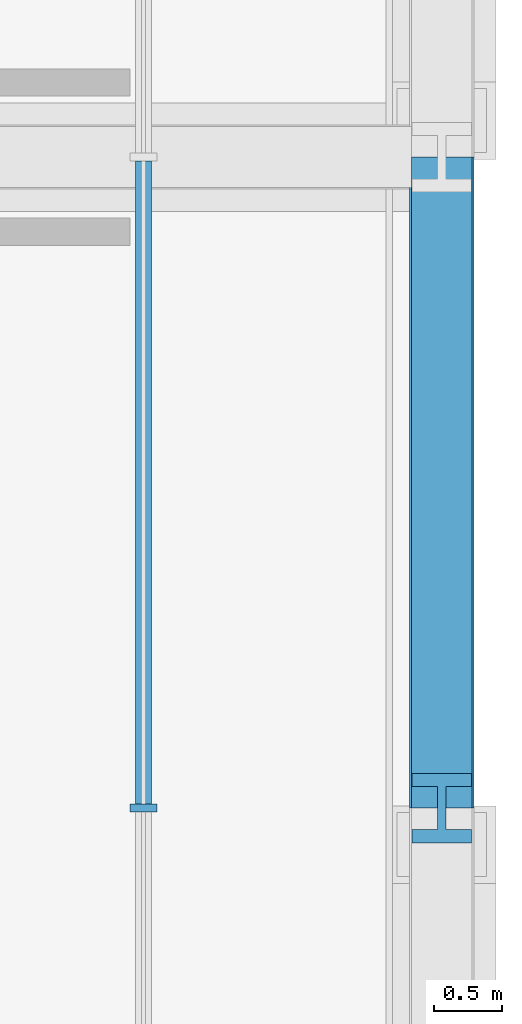
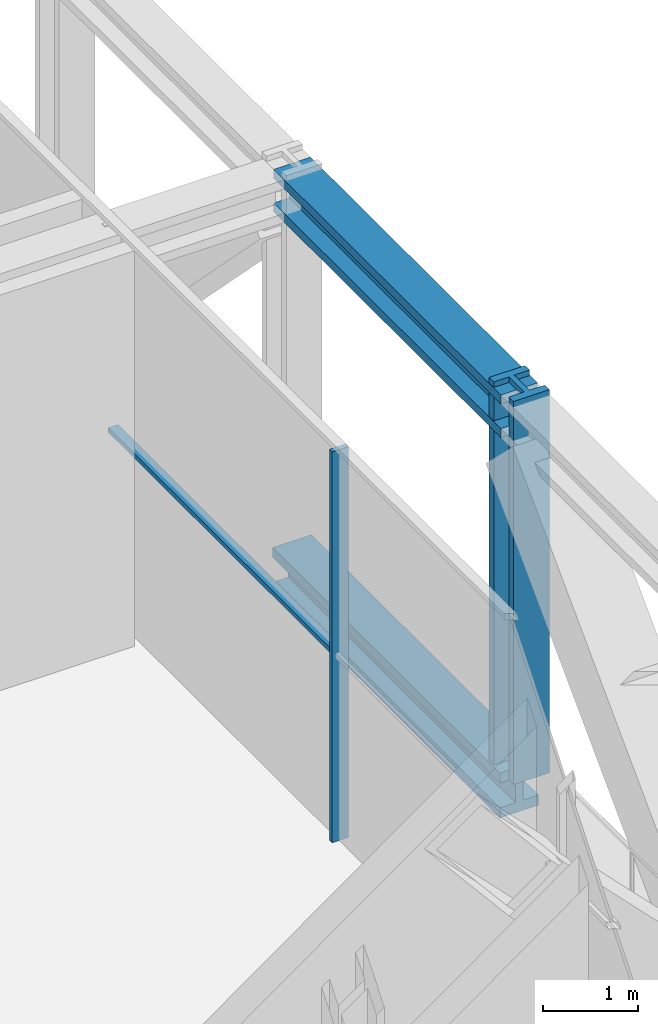
# One storey, part 11 of 30: 5 members, 1 element without a shape of its own.
"""IFC4 building model written with IfcOpenShell, lengths in metres."""

import ifcopenshell
import ifcopenshell.guid

model = None  # the IFC model being written
_history = None  # IfcOwnerHistory: only IFC2X3 demands one
_inside = {}  # id of a spatial element -> (the spatial element, [elements in it])
_under = {}  # id of a project, library or spatial element -> (it, [spatial elements below it])
_declared = {}  # id of a project -> (the project, [libraries it declares])
_typed = {}  # id of a type object -> (the type object, [elements of that type])
_made_of = {}  # id of a material, layer set ... -> (it, [elements and type objects made of it])


def new_model(schema):
    """Start an empty IFC model of exactly this schema.

    Asked for "IFC4X3", IfcOpenShell would pick the latest addendum, in which some entities
    have other attributes; the version numbers below select the first issue.
    IFC2X3 requires an IfcOwnerHistory on every rooted entity: one is made here for all.
    """
    global model, _history
    if schema == "IFC4X3":
        model = ifcopenshell.file(schema_version=(4, 3, 0, 0))
    else:
        model = ifcopenshell.file(schema=schema)
    _inside.clear()
    _under.clear()
    _declared.clear()
    _typed.clear()
    _made_of.clear()
    _history = None
    if model.schema == "IFC2X3":
        org = make("IfcOrganization", Name="unknown")
        user = make(
            "IfcPersonAndOrganization",
            ThePerson=make("IfcPerson", FamilyName="unknown"),
            TheOrganization=org,
        )
        app = make(
            "IfcApplication",
            ApplicationDeveloper=org,
            Version="unknown",
            ApplicationFullName="unknown",
            ApplicationIdentifier="unknown",
        )
        _history = make(
            "IfcOwnerHistory",
            OwningUser=user,
            OwningApplication=app,
            ChangeAction="ADDED",
            CreationDate=0,
        )
    return model


def make(cls, **values):
    """One entity of the class cls with the attributes given. An attribute that is None is left unset."""
    return model.create_entity(
        cls, **{name: value for name, value in values.items() if value is not None}
    )


def rooted(cls, **values):
    """An entity with a GlobalId (a new one), such as an element, a storey or a relation."""
    return make(cls, GlobalId=ifcopenshell.guid.new(), OwnerHistory=_history, **values)


def si_unit(unit_type, name, prefix=None):
    """IfcSIUnit, for example si_unit("LENGTHUNIT", "METRE", prefix="MILLI")."""
    return make("IfcSIUnit", UnitType=unit_type, Prefix=prefix, Name=name)


def assignment(units):
    """IfcUnitAssignment: the units of a project."""
    return None if units is None else make("IfcUnitAssignment", Units=units)


def point(xyz):
    """IfcCartesianPoint."""
    return None if xyz is None else make("IfcCartesianPoint", Coordinates=xyz)


def direction(xyz):
    """IfcDirection."""
    return None if xyz is None else make("IfcDirection", DirectionRatios=xyz)


def frame(location, z_axis=None, x_axis=None):
    """IfcAxis2Placement3D, a coordinate frame: its origin and axes. An axis left out is left unset."""
    return make(
        "IfcAxis2Placement3D",
        Location=point(location),
        Axis=direction(z_axis),
        RefDirection=direction(x_axis),
    )


def frame_2d(location, x_axis=None):
    """IfcAxis2Placement2D, a coordinate frame in the plane: its origin and x axis."""
    return make(
        "IfcAxis2Placement2D", Location=point(location), RefDirection=direction(x_axis)
    )


def origin():
    """The frame at (0, 0, 0) with its axes left unset."""
    return frame((0.0, 0.0, 0.0))


def origin_2d():
    """The frame at (0, 0) in the plane with its x axis left unset."""
    return frame_2d((0.0, 0.0))


def place(relative_to, where):
    """IfcLocalPlacement: puts the frame where relative to a parent placement (None: the world)."""
    return make(
        "IfcLocalPlacement", PlacementRelTo=relative_to, RelativePlacement=where
    )


def context(
    kind, dimensions, precision=None, world=None, true_north=None, identifier=None
):
    """IfcGeometricRepresentationContext, for example the 3D "Model" context."""
    return make(
        "IfcGeometricRepresentationContext",
        ContextIdentifier=identifier,
        ContextType=kind,
        CoordinateSpaceDimension=dimensions,
        Precision=precision,
        WorldCoordinateSystem=world,
        TrueNorth=true_north,
    )


def subcontext(parent, identifier, kind, view, scale=None):
    """IfcGeometricRepresentationSubContext, for example "Body" below "Model"."""
    return make(
        "IfcGeometricRepresentationSubContext",
        ContextIdentifier=identifier,
        ContextType=kind,
        ParentContext=parent,
        TargetScale=scale,
        TargetView=view,
    )


def project(units=None, contexts=None):
    """IfcProject with its units and contexts."""
    return rooted(
        "IfcProject",
        Name="project",
        RepresentationContexts=contexts,
        UnitsInContext=assignment(units),
    )


def spatial(cls, under=None, at=None, **own):
    """A site, building, storey or space (cls), placed at a placement, below another one or the project."""
    s = rooted(cls, ObjectPlacement=at, **own)
    if under is not None:
        _under.setdefault(under.id(), (under, []))[1].append(s)
    return s


def profile(cls, at=None, kind="AREA", **sizes):
    """A parametric profile (cls). Its sizes go by their IFC names, for example OverallWidth=200.0."""
    return make(cls, ProfileType=kind, Position=at, **sizes)


def rectangle(**sizes):
    """IfcRectangleProfileDef."""
    return profile("IfcRectangleProfileDef", **sizes)


def i_section(**sizes):
    """IfcIShapeProfileDef."""
    return profile("IfcIShapeProfileDef", **sizes)


def extrude(swept, where, along, depth):
    """IfcExtrudedAreaSolid: the profile swept, set in the frame where, extruded along a direction by depth."""
    return make(
        "IfcExtrudedAreaSolid",
        SweptArea=swept,
        Position=where,
        ExtrudedDirection=direction(along),
        Depth=depth,
    )


def shape(context_of_items, identifier, shape_type, items):
    """IfcShapeRepresentation: the items that make up one representation, for example the "Body"."""
    return make(
        "IfcShapeRepresentation",
        ContextOfItems=context_of_items,
        RepresentationIdentifier=identifier,
        RepresentationType=shape_type,
        Items=items,
    )


def material(Name=None, Category=None):
    """IfcMaterial."""
    return make("IfcMaterial", Name=Name, Category=Category)


def layer(
    of_material, thickness, ventilated=None, Name=None, Category=None, Priority=None
):
    """IfcMaterialLayer: one layer of a wall or slab, of a material (None: an air gap)."""
    return make(
        "IfcMaterialLayer",
        Material=of_material,
        LayerThickness=thickness,
        IsVentilated=ventilated,
        Name=Name,
        Category=Category,
        Priority=Priority,
    )


def layer_set(layers, Name=None):
    """IfcMaterialLayerSet."""
    return make("IfcMaterialLayerSet", MaterialLayers=layers, LayerSetName=Name)


def material_profile(
    of_material, cross_section, Name=None, Category=None, Priority=None
):
    """IfcMaterialProfile: a cross section and its material."""
    return make(
        "IfcMaterialProfile",
        Name=Name,
        Material=of_material,
        Profile=cross_section,
        Priority=Priority,
        Category=Category,
    )


def profile_set(profiles, Name=None, composite=None):
    """IfcMaterialProfileSet."""
    return make(
        "IfcMaterialProfileSet",
        Name=Name,
        MaterialProfiles=profiles,
        CompositeProfile=composite,
    )


def made_of(thing, what):
    """Note that an element or type object is made of a material, layer set ...; save() writes the relation."""
    if what is not None:
        _made_of.setdefault(what.id(), (what, []))[1].append(thing)
    return thing


def type_object(cls, material=None, **own):
    """A type object (cls), such as IfcWallType, which elements share."""
    return made_of(rooted(cls, **own), material)


def element(
    cls,
    number,
    at=None,
    inside=None,
    cuts=None,
    type_object=None,
    material=None,
    context=None,
    identifier="Body",
    shape_type=None,
    held_by="IfcProductDefinitionShape",
    body=None,
    shapes=None,
    **own,
):
    """One element of the class cls, such as IfcWall. Its Tag is "e" and its number.

    at: its placement. inside: the storey or other place that contains it. cuts: it is an
    opening in that element (IfcRelVoidsElement). A single representation is given by context,
    identifier, shape_type and body (its items); several are given by shapes. held_by: the class
    of the entity that holds the representations. save() writes the other relations.
    """
    e = rooted(cls, Tag="e%d" % number, ObjectPlacement=at, **own)
    if body is not None:
        shapes = [shape(context, identifier, shape_type, body)]
    if shapes is not None:
        e.Representation = make(held_by, Representations=shapes)
    if inside is not None:
        _inside.setdefault(inside.id(), (inside, []))[1].append(e)
    if cuts is not None:
        rooted(
            "IfcRelVoidsElement", RelatingBuildingElement=cuts, RelatedOpeningElement=e
        )
    if type_object is not None:
        _typed.setdefault(type_object.id(), (type_object, []))[1].append(e)
    return made_of(e, material)


def aggregate(whole, parts):
    """IfcRelAggregates: a whole, such as a stair, and the parts it consists of."""
    return rooted("IfcRelAggregates", RelatingObject=whole, RelatedObjects=parts)


def save(model, path):
    """Write the relations noted so far, then the file.

    IfcRelAggregates (storeys below a building ...), IfcRelContainedInSpatialStructure (elements
    in a storey), IfcRelDefinesByType, IfcRelAssociatesMaterial and IfcRelDeclares: one each for
    every whole, place, type object, material and project.
    """
    for whole, parts in _under.values():
        aggregate(whole, parts)
    for where, things in _inside.values():
        rooted(
            "IfcRelContainedInSpatialStructure",
            RelatedElements=things,
            RelatingStructure=where,
        )
    for kind, things in _typed.values():
        rooted("IfcRelDefinesByType", RelatedObjects=things, RelatingType=kind)
    for what, things in _made_of.values():
        rooted("IfcRelAssociatesMaterial", RelatedObjects=things, RelatingMaterial=what)
    for by, libraries in _declared.values():
        rooted("IfcRelDeclares", RelatingContext=by, RelatedDefinitions=libraries)
    model.write(path)


model = new_model("IFC4")

# Units and contexts
model_context = context("Model", 3, precision=1e-05, world=origin(), true_north=direction((0.0, 1.0)))
body_context = subcontext(model_context, "Body", "Model", "MODEL_VIEW")
ifc_project = project(units=[si_unit("LENGTHUNIT", "METRE"), si_unit("AREAUNIT", "SQUARE_METRE"), si_unit("VOLUMEUNIT", "CUBIC_METRE"), si_unit("PLANEANGLEUNIT", "RADIAN"), si_unit("MASSUNIT", "GRAM", prefix="KILO")], contexts=[model_context])

# Site, building, storey
site_placement = place(None, origin())
site = spatial("IfcSite", under=ifc_project, at=site_placement, CompositionType="ELEMENT")
building_placement = place(site_placement, origin())
building = spatial("IfcBuilding", under=site, at=building_placement, Name="Madar Terraces", CompositionType="ELEMENT")
storey_placement = place(building_placement, frame((0.0, 0.0, 53.89990234375)))
storey = spatial("IfcBuildingStorey", under=building, at=storey_placement, Name="L13", CompositionType="ELEMENT", Elevation=53.89990234375)

# Member
ifc_material_1 = material(Name="Steel ASTM A913 Grade 65", Category="steel")
ifc_material_profile_1 = material_profile(ifc_material_1, i_section(OverallWidth=0.472412109375, OverallDepth=0.5791015625, WebThickness=0.094970703125, FlangeThickness=0.130126953125, at=origin_2d()), Name="W14x808")
ifc_profile_set_1 = profile_set([ifc_material_profile_1], Name="Steel ASTM A913 Grade 65")
member_type_1 = type_object("IfcMemberType", Name="BC2 W14x808", PredefinedType="CHORD", material=ifc_profile_set_1)
member_1_placement = place(storey_placement, frame((62.39990234375, 28.800048828125, -0.13037109375), z_axis=(0.0, 1.0, 0.0), x_axis=(-1.0, 0.0, 0.0)))
element("IfcMember", 1, at=member_1_placement, inside=storey, type_object=member_type_1, Name="Exoskeleton truss ring bottom chord BC2", PredefinedType="CHORD", context=body_context, shape_type="SweptSolid", body=[
    extrude(i_section(OverallWidth=0.472412109375, OverallDepth=0.5791015625, WebThickness=0.094970703125, FlangeThickness=0.130126953125, at=origin_2d()), origin(), (0.0, 0.0, 1.0), 4.800048828125),
])

# Curtain wall, members
ifc_material_2 = material(Name="Glass, ceramic frit dark grey, with black aluminium frame", Category="aluminium")
ifc_layer = layer(ifc_material_2, 0.199951171875)
ifc_layer_set = layer_set([ifc_layer], Name="Facade curtain wall, tall glazing")
curtain_wall_type = type_object("IfcCurtainWallType", Name="Facade curtain wall, tall glazing", PredefinedType="NOTDEFINED", material=ifc_layer_set)
curtain_wall_placement = place(storey_placement, origin())
curtain_wall = element("IfcCurtainWall", 2, at=curtain_wall_placement, inside=storey, type_object=curtain_wall_type, Name="Outer skin curtain wall east bay 1", PredefinedType="NOTDEFINED")
ifc_material_3 = material(Name="Aluminium, black anodised", Category="aluminium")
ifc_material_profile_2 = material_profile(ifc_material_3, rectangle(XDim=0.199951171875, YDim=0.06005859375, at=origin_2d()), Name="Facade mullion 60x200")
ifc_profile_set_2 = profile_set([ifc_material_profile_2], Name="Aluminium, black anodised")
member_type_2 = type_object("IfcMemberType", Name="Facade mullion 60x200", PredefinedType="MULLION", material=ifc_profile_set_2)
member_2_placement = place(storey_placement, frame((60.199951171875, 28.800048828125, 0.0), z_axis=(0.0, 0.0, 1.0), x_axis=(-1.0, 0.0, 0.0)))
member_2 = element("IfcMember", 3, at=member_2_placement, type_object=member_type_2, Name="Mullion 5", PredefinedType="MULLION", context=body_context, shape_type="SweptSolid", body=[
    extrude(rectangle(XDim=0.199951171875, YDim=0.06005859375, at=origin_2d()), origin(), (0.0, 0.0, 1.0), 5.0400390625),
])
ifc_material_4 = material(Name="Aluminium, black anodised", Category="aluminium")
ifc_material_profile_3 = material_profile(ifc_material_4, rectangle(XDim=0.1201171875, YDim=0.06005859375, at=origin_2d()), Name="Facade transom 60x120")
ifc_profile_set_3 = profile_set([ifc_material_profile_3], Name="Aluminium, black anodised")
member_type_3 = type_object("IfcMemberType", Name="Facade transom 60x120", PredefinedType="USERDEFINED", material=ifc_profile_set_3)
member_3_placement = place(storey_placement, frame((60.199951171875, 28.830078125, 2.400146484375), z_axis=(0.0, 1.0, 0.0), x_axis=(-1.0, 0.0, 0.0)))
member_3 = element("IfcMember", 4, at=member_3_placement, type_object=member_type_3, Name="Transom 7", ObjectType="TRANSOM", PredefinedType="USERDEFINED", context=body_context, shape_type="SweptSolid", body=[
    extrude(rectangle(XDim=0.1201171875, YDim=0.06005859375, at=origin_2d()), origin(), (0.0, 0.0, 1.0), 4.739990234375),
])
aggregate(curtain_wall, [member_2, member_3])

# Members
ifc_material_5 = material(Name="Steel ASTM A913 Grade 65", Category="steel")
ifc_material_profile_4 = material_profile(ifc_material_5, i_section(OverallWidth=0.449462890625, OverallDepth=0.548583984375, WebThickness=0.07177734375, FlangeThickness=0.11474609375, at=origin_2d()), Name="W14x665")
ifc_profile_set_4 = profile_set([ifc_material_profile_4], Name="Steel ASTM A913 Grade 65")
member_type_4 = type_object("IfcMemberType", Name="TC2 W14x665", PredefinedType="CHORD", material=ifc_profile_set_4)
member_4_placement = place(storey_placement, frame((62.39990234375, 28.800048828125, 4.755859375), z_axis=(0.0, 1.0, 0.0), x_axis=(-1.0, 0.0, 0.0)))
element("IfcMember", 5, at=member_4_placement, inside=storey, type_object=member_type_4, Name="Exoskeleton truss ring top chord TC2", PredefinedType="CHORD", context=body_context, shape_type="SweptSolid", body=[
    extrude(i_section(OverallWidth=0.449462890625, OverallDepth=0.548583984375, WebThickness=0.07177734375, FlangeThickness=0.11474609375, at=origin_2d()), origin(), (0.0, 0.0, 1.0), 4.800048828125),
])
ifc_material_6 = material(Name="Steel ASTM A913 Grade 65", Category="steel")
ifc_material_profile_5 = material_profile(ifc_material_6, i_section(OverallWidth=0.436767578125, OverallDepth=0.51318359375, WebThickness=0.060546875, FlangeThickness=0.096923828125, at=origin_2d()), Name="W14x550")
ifc_profile_set_5 = profile_set([ifc_material_profile_5], Name="Steel ASTM A913 Grade 65")
member_type_5 = type_object("IfcMemberType", Name="TV2 W14x550", PredefinedType="POST", material=ifc_profile_set_5)
member_5_placement = place(storey_placement, frame((62.39990234375, 28.800048828125, 0.1591796875), z_axis=(0.0, 0.0, 1.0), x_axis=(-1.0, 0.0, 0.0)))
element("IfcMember", 6, at=member_5_placement, inside=storey, type_object=member_type_5, Name="Exoskeleton truss ring post TV2", PredefinedType="POST", context=body_context, shape_type="SweptSolid", body=[
    extrude(i_section(OverallWidth=0.436767578125, OverallDepth=0.51318359375, WebThickness=0.060546875, FlangeThickness=0.096923828125, at=origin_2d()), origin(), (0.0, 0.0, 1.0), 4.94091796875),
])

save(model, "model.ifc")
